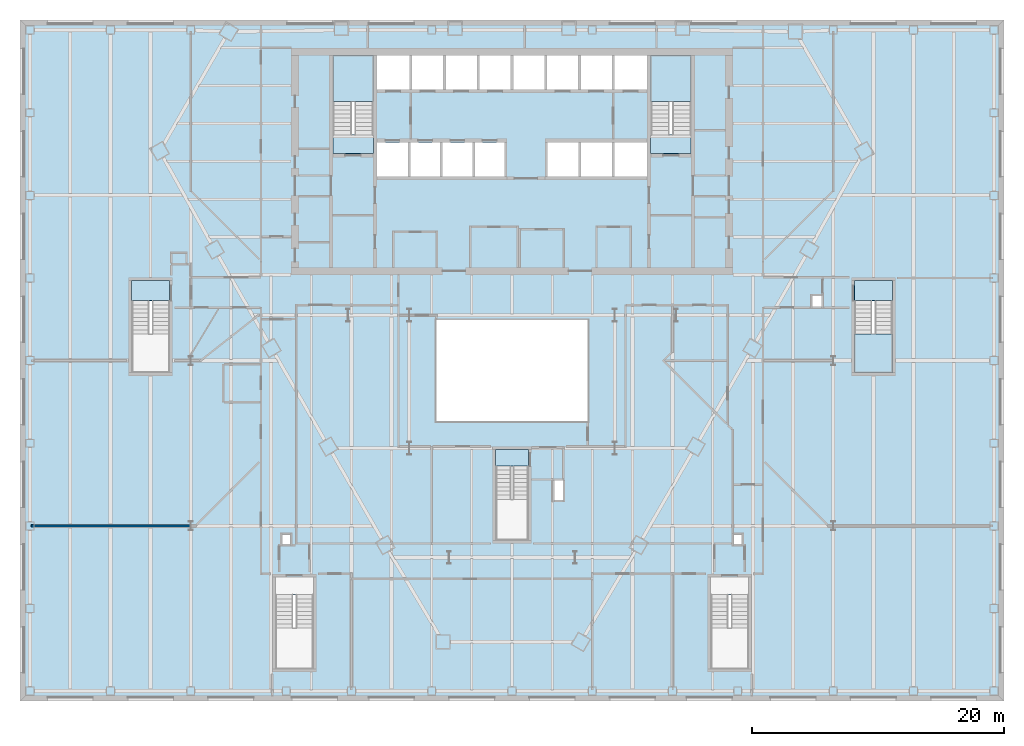
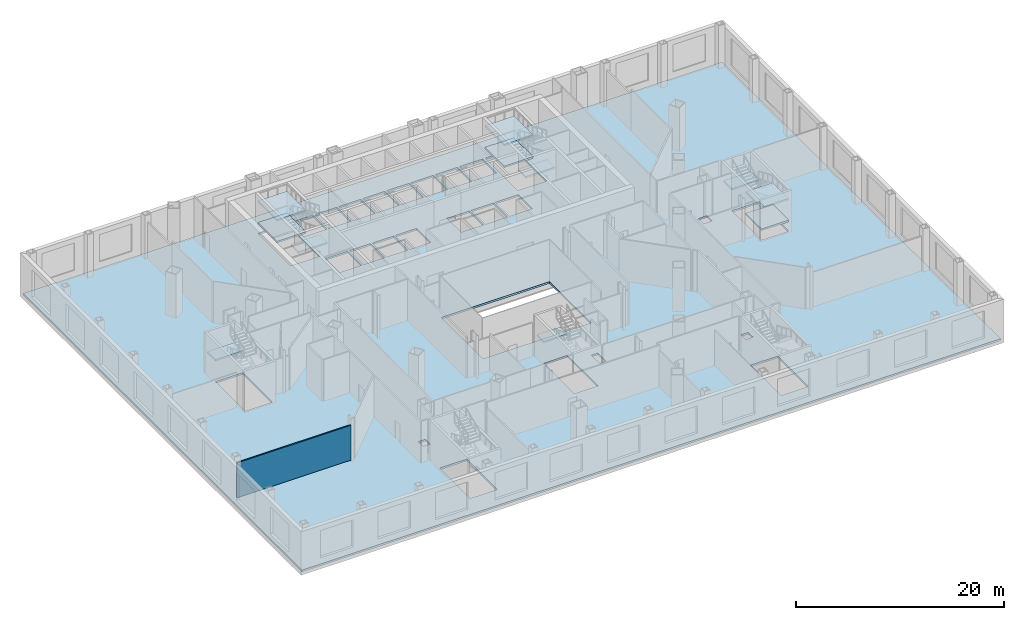
# One storey, part 7 of 21: 12 slabs, 1 wall, 5 elements without a shape of their own.
"""IFC4 building model written with IfcOpenShell, lengths in metres."""

from ifc_helpers import new_model, si_unit, direction, frame, frame_2d, origin, place, context, subcontext, project, spatial, polyline, rectangle, outline, extrude, material, layer, layer_set, type_object, element, aggregate, save


model = new_model("IFC4")

# Units and contexts
model_context = context("Model", 3, precision=1e-05, world=origin(), true_north=direction((0.0, 1.0)))
body_context = subcontext(model_context, "Body", "Model", "MODEL_VIEW")
ifc_project = project(units=[si_unit("LENGTHUNIT", "METRE"), si_unit("AREAUNIT", "SQUARE_METRE"), si_unit("VOLUMEUNIT", "CUBIC_METRE"), si_unit("PLANEANGLEUNIT", "RADIAN"), si_unit("MASSUNIT", "GRAM", prefix="KILO")], contexts=[model_context])

# Site, building, storey
site_placement = place(None, origin())
site = spatial("IfcSite", under=ifc_project, at=site_placement, CompositionType="ELEMENT")
building_placement = place(site_placement, origin())
building = spatial("IfcBuilding", under=site, at=building_placement, Name="Njiva Tower", CompositionType="ELEMENT")
storey_placement = place(building_placement, frame((0.0, 0.0, 13.5)))
storey = spatial("IfcBuildingStorey", under=building, at=storey_placement, Name="L02", CompositionType="ELEMENT", Elevation=13.5)

# Stair, slabs
ifc_material_1 = material(Name="Concrete C40/50", Category="concrete")
stair_type_1 = type_object("IfcStairType", Name="ST4 Exit stair 1500", PredefinedType="HALF_TURN_STAIR", material=ifc_material_1)
stair_1_placement = place(storey_placement, origin())
stair_1 = element("IfcStair", 1, at=stair_1_placement, inside=storey, type_object=stair_type_1, Name="Stair A", PredefinedType="DOUBLE_RETURN_STAIR")
ifc_layer_1 = layer(ifc_material_1, 0.2)
ifc_layer_set_1 = layer_set([ifc_layer_1], Name="Concrete C40/50")
slab_type_1 = type_object("IfcSlabType", Name="FL9 Stair landing 200", PredefinedType="LANDING", material=ifc_layer_set_1)
slab_1_placement = place(storey_placement, frame((0.0, 0.0, 1.075)))
slab_1 = element("IfcSlab", 2, at=slab_1_placement, type_object=slab_type_1, Name="ST-A landing 1", PredefinedType="LANDING", context=body_context, shape_type="SweptSolid", body=[
    extrude(outline(polyline([(-14.206, 13.74), (-10.994, 13.74), (-10.994, 17.4), (-14.206, 17.4), (-14.206, 13.74)])), origin(), (0.0, 0.0, 1.0), 0.2),
])
slab_2_placement = place(storey_placement, frame((0.0, 0.0, 2.35)))
slab_2 = element("IfcSlab", 3, at=slab_2_placement, type_object=slab_type_1, Name="ST-A landing 2", PredefinedType="LANDING", context=body_context, shape_type="SweptSolid", body=[
    extrude(outline(polyline([(-14.206, 9.6), (-10.994, 9.6), (-10.994, 11.1), (-14.206, 11.1), (-14.206, 9.6)])), origin(), (0.0, 0.0, 1.0), 0.2),
])
slab_3_placement = place(storey_placement, frame((0.0, 0.0, 3.625)))
slab_3 = element("IfcSlab", 4, at=slab_3_placement, type_object=slab_type_1, Name="ST-A landing 3", PredefinedType="LANDING", context=body_context, shape_type="SweptSolid", body=[
    extrude(outline(polyline([(-14.206, 13.74), (-10.994, 13.74), (-10.994, 17.4), (-14.206, 17.4), (-14.206, 13.74)])), origin(), (0.0, 0.0, 1.0), 0.2),
])
aggregate(stair_1, [slab_1, slab_2, slab_3])

stair_2_placement = place(storey_placement, origin())
stair_2 = element("IfcStair", 5, at=stair_2_placement, inside=storey, type_object=stair_type_1, Name="Stair B", PredefinedType="DOUBLE_RETURN_STAIR")
slab_4_placement = place(storey_placement, frame((0.0, 0.0, 1.075)))
slab_4 = element("IfcSlab", 6, at=slab_4_placement, type_object=slab_type_1, Name="ST-B landing 1", PredefinedType="LANDING", context=body_context, shape_type="SweptSolid", body=[
    extrude(outline(polyline([(10.994, 13.74), (14.206, 13.74), (14.206, 17.4), (10.994, 17.4), (10.994, 13.74)])), origin(), (0.0, 0.0, 1.0), 0.2),
])
slab_5_placement = place(storey_placement, frame((0.0, 0.0, 2.35)))
slab_5 = element("IfcSlab", 7, at=slab_5_placement, type_object=slab_type_1, Name="ST-B landing 2", PredefinedType="LANDING", context=body_context, shape_type="SweptSolid", body=[
    extrude(outline(polyline([(10.994, 9.6), (14.206, 9.6), (14.206, 11.1), (10.994, 11.1), (10.994, 9.6)])), origin(), (0.0, 0.0, 1.0), 0.2),
])
slab_6_placement = place(storey_placement, frame((0.0, 0.0, 3.625)))
slab_6 = element("IfcSlab", 8, at=slab_6_placement, type_object=slab_type_1, Name="ST-B landing 3", PredefinedType="LANDING", context=body_context, shape_type="SweptSolid", body=[
    extrude(outline(polyline([(10.994, 13.74), (14.206, 13.74), (14.206, 17.4), (10.994, 17.4), (10.994, 13.74)])), origin(), (0.0, 0.0, 1.0), 0.2),
])
aggregate(stair_2, [slab_4, slab_5, slab_6])

# Stair, slab
stair_type_2 = type_object("IfcStairType", Name="ST1 Exit stair 1250", PredefinedType="HALF_TURN_STAIR", material=ifc_material_1)
stair_3_placement = place(storey_placement, origin())
stair_3 = element("IfcStair", 9, at=stair_3_placement, inside=storey, type_object=stair_type_2, Name="Stair C", PredefinedType="DOUBLE_RETURN_STAIR")
slab_7_placement = place(storey_placement, frame((0.0, 0.0, 2.35)))
slab_7 = element("IfcSlab", 10, at=slab_7_placement, type_object=slab_type_1, Name="ST-C landing 2", PredefinedType="LANDING", context=body_context, shape_type="SweptSolid", body=[
    extrude(outline(polyline([(-1.306, -15.16), (1.306, -15.16), (1.306, -13.85), (-1.306, -13.85), (-1.306, -15.16)])), origin(), (0.0, 0.0, 1.0), 0.2),
])
aggregate(stair_3, [slab_7])

stair_type_3 = type_object("IfcStairType", Name="ST2 Exit stair 1400", PredefinedType="HALF_TURN_STAIR", material=ifc_material_1)
stair_4_placement = place(storey_placement, origin())
stair_4 = element("IfcStair", 11, at=stair_4_placement, inside=storey, type_object=stair_type_3, Name="Stair F", PredefinedType="DOUBLE_RETURN_STAIR")
slab_8_placement = place(storey_placement, frame((0.0, 0.0, 2.35)))
slab_8 = element("IfcSlab", 12, at=slab_8_placement, type_object=slab_type_1, Name="ST-F landing 2", PredefinedType="LANDING", context=body_context, shape_type="SweptSolid", body=[
    extrude(outline(polyline([(-30.156, -2.05), (-27.144, -2.05), (-27.144, -0.45), (-30.156, -0.45), (-30.156, -2.05)])), origin(), (0.0, 0.0, 1.0), 0.2),
])
aggregate(stair_4, [slab_8])

# Stair, slabs
stair_5_placement = place(storey_placement, origin())
stair_5 = element("IfcStair", 13, at=stair_5_placement, inside=storey, type_object=stair_type_3, Name="Stair G", PredefinedType="DOUBLE_RETURN_STAIR")
slab_9_placement = place(storey_placement, frame((0.0, 0.0, 1.075)))
slab_9 = element("IfcSlab", 14, at=slab_9_placement, type_object=slab_type_1, Name="ST-G landing 1", PredefinedType="LANDING", context=body_context, shape_type="SweptSolid", body=[
    extrude(outline(polyline([(27.144, -7.75), (30.156, -7.75), (30.156, -4.69), (27.144, -4.69), (27.144, -7.75)])), origin(), (0.0, 0.0, 1.0), 0.2),
])
slab_10_placement = place(storey_placement, frame((0.0, 0.0, 2.35)))
slab_10 = element("IfcSlab", 15, at=slab_10_placement, type_object=slab_type_1, Name="ST-G landing 2", PredefinedType="LANDING", context=body_context, shape_type="SweptSolid", body=[
    extrude(outline(polyline([(27.144, -2.05), (30.156, -2.05), (30.156, -0.45), (27.144, -0.45), (27.144, -2.05)])), origin(), (0.0, 0.0, 1.0), 0.2),
])
slab_11_placement = place(storey_placement, frame((0.0, 0.0, 3.625)))
slab_11 = element("IfcSlab", 16, at=slab_11_placement, type_object=slab_type_1, Name="ST-G landing 3", PredefinedType="LANDING", context=body_context, shape_type="SweptSolid", body=[
    extrude(outline(polyline([(27.144, -7.75), (30.156, -7.75), (30.156, -4.69), (27.144, -4.69), (27.144, -7.75)])), origin(), (0.0, 0.0, 1.0), 0.2),
])
aggregate(stair_5, [slab_9, slab_10, slab_11])

# Slab
ifc_material_2 = material(Name="Concrete C30/37", Category="concrete")
ifc_layer_2 = layer(ifc_material_2, 0.22)
ifc_layer_set_2 = layer_set([ifc_layer_2], Name="Concrete C30/37")
slab_type_2 = type_object("IfcSlabType", Name="SL12 Composite floor slab 220", PredefinedType="FLOOR", material=ifc_layer_set_2)
slab_12_placement = place(storey_placement, frame((0.0, 0.0, -0.22)))
element("IfcSlab", 17, at=slab_12_placement, inside=storey, type_object=slab_type_2, Name="Floor slab L02", PredefinedType="FLOOR", context=body_context, shape_type="SweptSolid", body=[
    extrude(outline(polyline([(-38.775, -33.575), (-38.775, 19.975), (38.775, 19.975), (38.775, -33.575), (-38.775, -33.575)]), holes=[polyline([(27.144, -2.08), (27.144, -7.75), (30.156, -7.75), (30.156, -2.08), (27.144, -2.08)]), polyline([(23.725, -2.6), (24.625, -2.6), (24.625, -1.6), (23.725, -1.6), (23.725, -2.6)]), polyline([(15.744, -25.38), (15.744, -31.25), (18.756, -31.25), (18.756, -25.38), (15.744, -25.38)]), polyline([(17.5, -20.525), (17.5, -21.425), (18.3, -21.425), (18.3, -20.525), (17.5, -20.525)]), polyline([(10.994, 17.4), (10.994, 11.13), (14.206, 11.13), (14.206, 17.4), (10.994, 17.4)]), polyline([(8.125, 17.4), (8.125, 14.7), (10.7, 14.7), (10.7, 17.4), (8.125, 17.4)]), polyline([(8.1333, 10.5), (8.1333, 7.8), (10.7, 7.8), (10.7, 10.5), (8.1333, 10.5)]), polyline([(5.4667, 7.8), (7.9333, 7.8), (7.9333, 10.5), (5.4667, 10.5), (5.4667, 7.8)]), polyline([(5.45, 17.4), (5.45, 14.7), (7.925, 14.7), (7.925, 17.4), (5.45, 17.4)]), polyline([(6.0, -11.6), (6.0, -3.6), (-6.0, -3.6), (-6.0, -11.6), (6.0, -11.6)]), polyline([(2.8, 10.5), (2.8, 7.8), (5.2667, 7.8), (5.2667, 10.5), (2.8, 10.5)]), polyline([(2.775, 17.4), (2.775, 14.7), (5.25, 14.7), (5.25, 17.4), (2.775, 17.4)]), polyline([(3.35, -16.3), (3.35, -17.85), (4.05, -17.85), (4.05, -16.3), (3.35, -16.3)]), polyline([(0.1, 17.4), (0.1, 14.7), (2.575, 14.7), (2.575, 17.4), (0.1, 17.4)]), polyline([(-1.306, -15.19), (-1.306, -21.05), (1.306, -21.05), (1.306, -15.19), (-1.306, -15.19)]), polyline([(-2.575, 14.7), (-0.1, 14.7), (-0.1, 17.4), (-2.575, 17.4), (-2.575, 14.7)]), polyline([(-2.95, 10.5), (-2.95, 7.8), (-0.6, 7.8), (-0.6, 10.5), (-2.95, 10.5)]), polyline([(-5.25, 17.4), (-5.25, 14.7), (-2.775, 14.7), (-2.775, 17.4), (-5.25, 17.4)]), polyline([(-5.5, 10.5), (-5.5, 7.8), (-3.15, 7.8), (-3.15, 10.5), (-5.5, 10.5)]), polyline([(-7.925, 17.4), (-7.925, 14.7), (-5.45, 14.7), (-5.45, 17.4), (-7.925, 17.4)]), polyline([(-8.05, 7.8), (-5.7, 7.8), (-5.7, 10.5), (-8.05, 10.5), (-8.05, 7.8)]), polyline([(-10.7, 17.4), (-10.7, 14.7), (-8.125, 14.7), (-8.125, 17.4), (-10.7, 17.4)]), polyline([(-10.7, 10.5), (-10.7, 7.8), (-8.25, 7.8), (-8.25, 10.5), (-10.7, 10.5)]), polyline([(-14.206, 17.4), (-14.206, 11.13), (-10.994, 11.13), (-10.994, 17.4), (-14.206, 17.4)]), polyline([(-18.756, -31.25), (-15.744, -31.25), (-15.744, -25.38), (-18.756, -25.38), (-18.756, -31.25)]), polyline([(-18.3, -20.525), (-18.3, -21.425), (-17.5, -21.425), (-17.5, -20.525), (-18.3, -20.525)]), polyline([(-30.156, -2.08), (-30.156, -7.75), (-27.144, -7.75), (-27.144, -2.08), (-30.156, -2.08)])]), origin(), (0.0, 0.0, 1.0), 0.22),
])

# Wall
ifc_material_3 = material(Name="Gypsum board on steel studs", Category="gypsum")
ifc_layer_3 = layer(ifc_material_3, 0.15)
ifc_layer_set_3 = layer_set([ifc_layer_3], Name="Gypsum board on steel studs")
wall_type = type_object("IfcWallType", Name="WT21 Compartment wall 150", PredefinedType="PARTITIONING", material=ifc_layer_set_3)
wall_placement = place(storey_placement, frame((-38.1, -19.9, 0.0), z_axis=(0.0, 0.0, 1.0), x_axis=(1.0, 0.0, 0.0)))
element("IfcWall", 18, at=wall_placement, inside=storey, type_object=wall_type, Name="Partition L02-P001", PredefinedType="PARTITIONING", context=body_context, shape_type="SweptSolid", body=[
    extrude(rectangle(XDim=12.633, YDim=0.15, at=frame_2d((6.3165, 0.0))), origin(), (0.0, 0.0, 1.0), 4.09),
])

save(model, "model.ifc")
